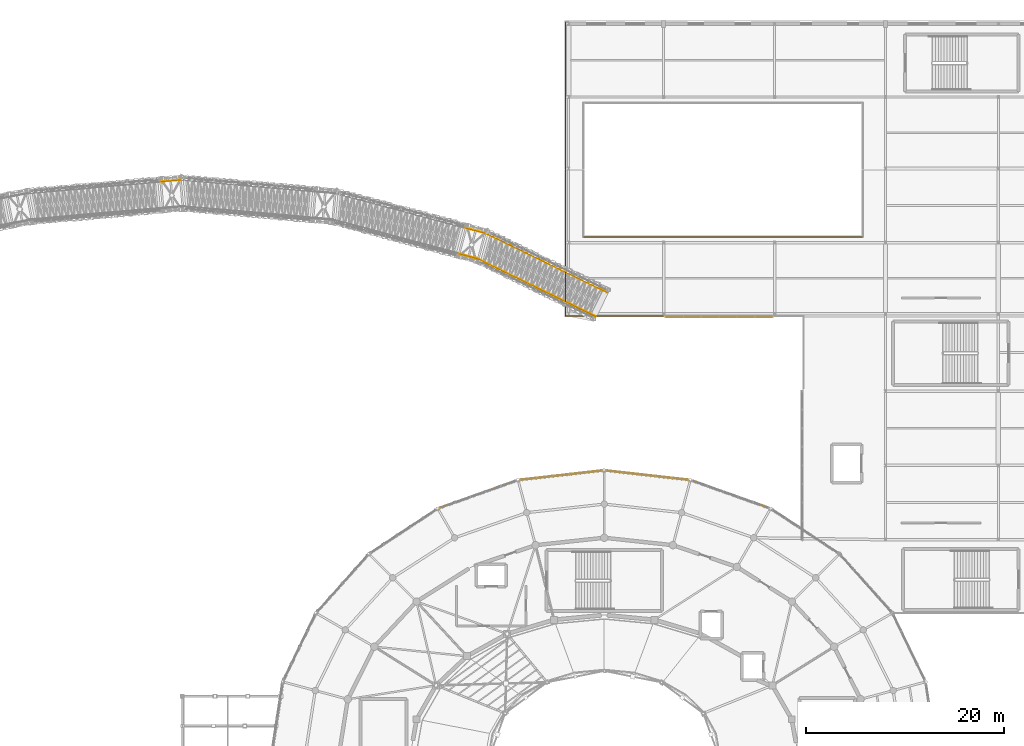
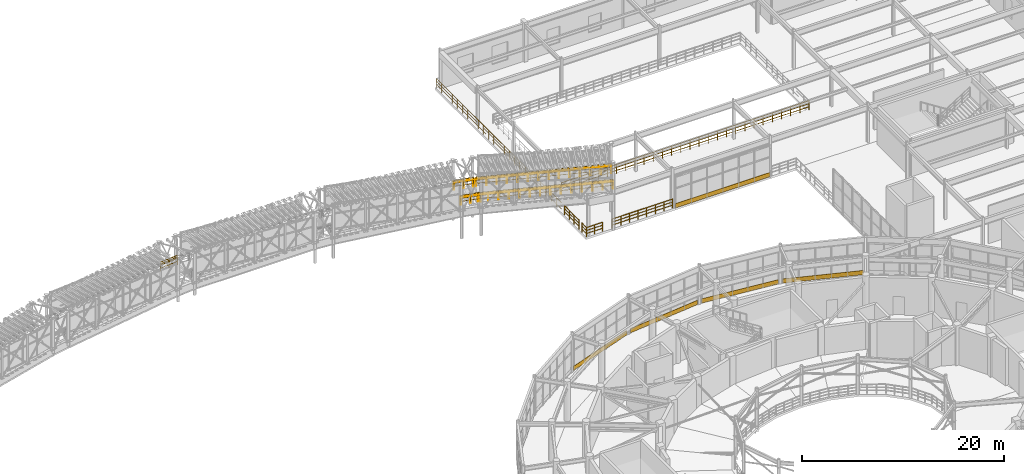
# One storey, part 140 of 144: 16 railings, 5 coverings.
"""IFC4 building model written with IfcOpenShell, lengths in metres."""

from ifc_helpers import new_model, si_unit, direction, frame, origin, origin_2d, place, context, subcontext, project, spatial, rectangle, circle, extrude, material, layer, layer_set, type_object, element, save


model = new_model("IFC4")

# Units and contexts
model_context = context("Model", 3, precision=1e-05, world=origin(), true_north=direction((0.0, 1.0)))
body_context = subcontext(model_context, "Body", "Model", "MODEL_VIEW")
ifc_project = project(units=[si_unit("LENGTHUNIT", "METRE"), si_unit("AREAUNIT", "SQUARE_METRE"), si_unit("VOLUMEUNIT", "CUBIC_METRE"), si_unit("PLANEANGLEUNIT", "RADIAN"), si_unit("MASSUNIT", "GRAM", prefix="KILO")], contexts=[model_context])

# Site, building, storey
site_placement = place(None, origin())
site = spatial("IfcSite", under=ifc_project, at=site_placement, CompositionType="ELEMENT")
building_placement = place(site_placement, origin())
building = spatial("IfcBuilding", under=site, at=building_placement, Name="Cinderbank Siding Concert Hall", CompositionType="ELEMENT")
storey_placement = place(building_placement, frame((0.0, 0.0, 5.39990234375)))
storey = spatial("IfcBuildingStorey", under=building, at=storey_placement, Name="L02", CompositionType="ELEMENT", Elevation=5.39990234375)

# Railing
ifc_material_1 = material(Name="Spotted gum glulam timber GL18 (42 MPa)", Category="wood")
railing_type_1 = type_object("IfcRailingType", Name="BAL-01 Auditorium Tier Balustrade 1120mm", PredefinedType="BALUSTRADE", material=ifc_material_1)
railing_1_placement = place(storey_placement, frame((119.85009765625, 96.35009765625, 0.0)))
element("IfcRailing", 1, at=railing_1_placement, inside=storey, type_object=railing_type_1, Name="L02 OR Gallery Balustrade 0", PredefinedType="BALUSTRADE", context=body_context, shape_type="SweptSolid", body=[
    extrude(circle(Radius=0.02392578125, at=origin_2d()), frame((0.0, 0.0, 1.09619140625), z_axis=(1.0, 0.0, 0.0), x_axis=(0.0, 1.0, 0.0)), (0.0, 0.0, 1.0), 28.2998046875),
    extrude(circle(Radius=0.01611328125, at=origin_2d()), frame((0.0, 0.0, 0.36962890625), z_axis=(1.0, 0.0, 0.0), x_axis=(0.0, 1.0, 0.0)), (0.0, 0.0, 1.0), 28.2998046875),
    extrude(circle(Radius=0.01611328125, at=origin_2d()), frame((0.0, 0.0, 0.7392578125), z_axis=(1.0, 0.0, 0.0), x_axis=(0.0, 1.0, 0.0)), (0.0, 0.0, 1.0), 28.2998046875),
    extrude(circle(Radius=0.02099609375, at=origin_2d()), origin(), (0.0, 0.0, 1.0), 1.072021484375),
    extrude(circle(Radius=0.02099609375, at=origin_2d()), frame((1.048095703125, 0.0, 0.0)), (0.0, 0.0, 1.0), 1.072021484375),
    extrude(circle(Radius=0.02099609375, at=origin_2d()), frame((2.09619140625, 0.0, 0.0)), (0.0, 0.0, 1.0), 1.072021484375),
    extrude(circle(Radius=0.02099609375, at=origin_2d()), frame((3.14453125, 0.0, 0.0)), (0.0, 0.0, 1.0), 1.072021484375),
    extrude(circle(Radius=0.02099609375, at=origin_2d()), frame((4.192626953125, 0.0, 0.0)), (0.0, 0.0, 1.0), 1.072021484375),
    extrude(circle(Radius=0.02099609375, at=origin_2d()), frame((5.24072265625, 0.0, 0.0)), (0.0, 0.0, 1.0), 1.072021484375),
    extrude(circle(Radius=0.02099609375, at=origin_2d()), frame((6.288818359375, 0.0, 0.0)), (0.0, 0.0, 1.0), 1.072021484375),
    extrude(circle(Radius=0.02099609375, at=origin_2d()), frame((7.3369140625, 0.0, 0.0)), (0.0, 0.0, 1.0), 1.072021484375),
    extrude(circle(Radius=0.02099609375, at=origin_2d()), frame((8.385009765625, 0.0, 0.0)), (0.0, 0.0, 1.0), 1.072021484375),
    extrude(circle(Radius=0.02099609375, at=origin_2d()), frame((9.433349609375, 0.0, 0.0)), (0.0, 0.0, 1.0), 1.072021484375),
    extrude(circle(Radius=0.02099609375, at=origin_2d()), frame((10.4814453125, 0.0, 0.0)), (0.0, 0.0, 1.0), 1.072021484375),
    extrude(circle(Radius=0.02099609375, at=origin_2d()), frame((11.529541015625, 0.0, 0.0)), (0.0, 0.0, 1.0), 1.072021484375),
    extrude(circle(Radius=0.02099609375, at=origin_2d()), frame((12.57763671875, 0.0, 0.0)), (0.0, 0.0, 1.0), 1.072021484375),
    extrude(circle(Radius=0.02099609375, at=origin_2d()), frame((13.625732421875, 0.0, 0.0)), (0.0, 0.0, 1.0), 1.072021484375),
    extrude(circle(Radius=0.02099609375, at=origin_2d()), frame((14.674072265625, 0.0, 0.0)), (0.0, 0.0, 1.0), 1.072021484375),
    extrude(circle(Radius=0.02099609375, at=origin_2d()), frame((15.72216796875, 0.0, 0.0)), (0.0, 0.0, 1.0), 1.072021484375),
    extrude(circle(Radius=0.02099609375, at=origin_2d()), frame((16.770263671875, 0.0, 0.0)), (0.0, 0.0, 1.0), 1.072021484375),
    extrude(circle(Radius=0.02099609375, at=origin_2d()), frame((17.818359375, 0.0, 0.0)), (0.0, 0.0, 1.0), 1.072021484375),
    extrude(circle(Radius=0.02099609375, at=origin_2d()), frame((18.866455078125, 0.0, 0.0)), (0.0, 0.0, 1.0), 1.072021484375),
    extrude(circle(Radius=0.02099609375, at=origin_2d()), frame((19.914794921875, 0.0, 0.0)), (0.0, 0.0, 1.0), 1.072021484375),
    extrude(circle(Radius=0.02099609375, at=origin_2d()), frame((20.962890625, 0.0, 0.0)), (0.0, 0.0, 1.0), 1.072021484375),
    extrude(circle(Radius=0.02099609375, at=origin_2d()), frame((22.010986328125, 0.0, 0.0)), (0.0, 0.0, 1.0), 1.072021484375),
    extrude(circle(Radius=0.02099609375, at=origin_2d()), frame((23.05908203125, 0.0, 0.0)), (0.0, 0.0, 1.0), 1.072021484375),
    extrude(circle(Radius=0.02099609375, at=origin_2d()), frame((24.107177734375, 0.0, 0.0)), (0.0, 0.0, 1.0), 1.072021484375),
    extrude(circle(Radius=0.02099609375, at=origin_2d()), frame((25.1552734375, 0.0, 0.0)), (0.0, 0.0, 1.0), 1.072021484375),
    extrude(circle(Radius=0.02099609375, at=origin_2d()), frame((26.20361328125, 0.0, 0.0)), (0.0, 0.0, 1.0), 1.072021484375),
    extrude(circle(Radius=0.02099609375, at=origin_2d()), frame((27.251708984375, 0.0, 0.0)), (0.0, 0.0, 1.0), 1.072021484375),
    extrude(circle(Radius=0.02099609375, at=origin_2d()), frame((28.2998046875, 0.0, 0.0)), (0.0, 0.0, 1.0), 1.072021484375),
])

# Coverings
ifc_layer = layer(ifc_material_1, 0.06494140625)
ifc_layer_set = layer_set([ifc_layer], Name="Spotted gum glulam timber GL18 (42 MPa)")
covering_type = type_object("IfcCoveringType", Name="CL-01 Spotted Gum Spandrel Band 520mm", PredefinedType="CLADDING", material=ifc_layer_set)
covering_1_placement = place(storey_placement, frame((134.748291015625, 70.380126953125, 0.0), z_axis=(0.0, 0.0, 1.0), x_axis=(-0.942365662238, 0.334584755532, 0.0)))
element("IfcCovering", 2, at=covering_1_placement, inside=storey, type_object=covering_type, Name="CW-L02-005 Spotted Gum Spandrel Band", PredefinedType="CLADDING", context=body_context, shape_type="SweptSolid", body=[
    extrude(rectangle(XDim=8.1455078125, YDim=0.06494140625, at=origin_2d()), origin(), (0.0, 0.0, 1.0), 0.52001953125),
])
for number, where, z_axis, x_axis, name in (
    (3, (126.34814453125, 72.309326171875, 0.0), (0.0, 0.0, 1.0), (-0.993693605349, 0.112129472879, 0.0), "CW-L02-006 Spotted Gum Spandrel Band"),
    (4, (117.65185546875, 72.309326171875, 0.0), (0.0, 0.0, 1.0), (-0.993693605349, -0.112129472879, 0.0), "CW-L02-007 Spotted Gum Spandrel Band"),
):
    element("IfcCovering", number, at=place(storey_placement, frame(where, z_axis=z_axis, x_axis=x_axis)), inside=storey, type_object=covering_type, Name=name, PredefinedType="CLADDING", context=body_context, shape_type="SweptSolid", body=[
        extrude(rectangle(XDim=8.297607421875, YDim=0.06494140625, at=origin_2d()), origin(), (0.0, 0.0, 1.0), 0.52001953125),
    ])
covering_2_placement = place(storey_placement, frame((109.251953125, 70.380126953125, 0.0), z_axis=(0.0, 0.0, 1.0), x_axis=(-0.942365662238, -0.334584755532, 0.0)))
element("IfcCovering", 5, at=covering_2_placement, inside=storey, type_object=covering_type, Name="CW-L02-008 Spotted Gum Spandrel Band", PredefinedType="CLADDING", context=body_context, shape_type="SweptSolid", body=[
    extrude(rectangle(XDim=8.1455078125, YDim=0.06494140625, at=origin_2d()), origin(), (0.0, 0.0, 1.0), 0.52001953125),
])
covering_3_placement = place(storey_placement, frame((133.60009765625, 88.300048828125, 0.0), z_axis=(0.0, 0.0, 1.0), x_axis=(1.0, 0.0, 0.0)))
element("IfcCovering", 6, at=covering_3_placement, inside=storey, type_object=covering_type, Name="CW-L02-151 Spotted Gum Spandrel Band", PredefinedType="CLADDING", context=body_context, shape_type="SweptSolid", body=[
    extrude(rectangle(XDim=10.81396484375, YDim=0.06494140625, at=origin_2d()), origin(), (0.0, 0.0, 1.0), 0.52001953125),
])

# Railings
ifc_material_2 = material(Name="Structural steel AS/NZS 3679.1 Grade 350 (340 MPa)", Category="steel")
railing_type_2 = type_object("IfcRailingType", Name="GD-01 Terrace & Perimeter Guardrail 1120mm", PredefinedType="GUARDRAIL", material=ifc_material_2)
railing_2_placement = place(storey_placement, frame((77.228515625, 101.951904296875, 1.920166015625)))
element("IfcRailing", 7, at=railing_2_placement, inside=storey, type_object=railing_type_2, Name="Bridge Guardrail 4-L", PredefinedType="GUARDRAIL", context=body_context, shape_type="SweptSolid", body=[
    extrude(circle(Radius=0.02392578125, at=origin_2d()), frame((0.0, 0.0, 1.09619140625), z_axis=(0.99619464492, 0.087156350505, 0.0), x_axis=(-0.087156350505, 0.99619464492, 0.0)), (0.0, 0.0, 1.0), 2.0),
    extrude(circle(Radius=0.01611328125, at=origin_2d()), frame((0.0, 0.0, 0.36962890625), z_axis=(0.99619464492, 0.087156350505, 0.0), x_axis=(-0.087156350505, 0.99619464492, 0.0)), (0.0, 0.0, 1.0), 2.0),
    extrude(circle(Radius=0.01611328125, at=origin_2d()), frame((0.0, 0.0, 0.7392578125), z_axis=(0.99619464492, 0.087156350505, 0.0), x_axis=(-0.087156350505, 0.99619464492, 0.0)), (0.0, 0.0, 1.0), 2.0),
    extrude(circle(Radius=0.02099609375, at=origin_2d()), origin(), (0.0, 0.0, 1.0), 1.072021484375),
    extrude(circle(Radius=0.02099609375, at=origin_2d()), frame((0.99609375, 0.087158203125, 0.0)), (0.0, 0.0, 1.0), 1.072021484375),
    extrude(circle(Radius=0.02099609375, at=origin_2d()), frame((1.992431640625, 0.17431640625, 0.0)), (0.0, 0.0, 1.0), 1.072021484375),
])
for number, where, name in (
    (8, (108.047607421875, 97.261474609375, 3.840087890625), "Bridge Guardrail 8-L"),
    (9, (107.354248046875, 94.673583984375, 3.840087890625), "Bridge Guardrail 8-R"),
):
    element("IfcRailing", number, at=place(storey_placement, frame(where)), inside=storey, type_object=railing_type_2, Name=name, PredefinedType="GUARDRAIL", context=body_context, shape_type="SweptSolid", body=[
        extrude(circle(Radius=0.02392578125, at=origin_2d()), frame((0.0, 0.0, 1.09619140625), z_axis=(0.965934430412, -0.258786931944, 0.0), x_axis=(0.258786931944, 0.965934430412, 0.0)), (0.0, 0.0, 1.0), 2.0),
        extrude(circle(Radius=0.01611328125, at=origin_2d()), frame((0.0, 0.0, 0.36962890625), z_axis=(0.965934430412, -0.258786931944, 0.0), x_axis=(0.258786931944, 0.965934430412, 0.0)), (0.0, 0.0, 1.0), 2.0),
        extrude(circle(Radius=0.01611328125, at=origin_2d()), frame((0.0, 0.0, 0.7392578125), z_axis=(0.965934430412, -0.258786931944, 0.0), x_axis=(0.258786931944, 0.965934430412, 0.0)), (0.0, 0.0, 1.0), 2.0),
        extrude(circle(Radius=0.02099609375, at=origin_2d()), origin(), (0.0, 0.0, 1.0), 1.072021484375),
        extrude(circle(Radius=0.02099609375, at=origin_2d()), frame((0.9658203125, -0.2587890625, 0.0)), (0.0, 0.0, 1.0), 1.072021484375),
        extrude(circle(Radius=0.02099609375, at=origin_2d()), frame((1.931884765625, -0.517578125, 0.0)), (0.0, 0.0, 1.0), 1.072021484375),
    ])
railing_3_placement = place(storey_placement, frame((110.22021484375, 96.65380859375, 3.840087890625)))
element("IfcRailing", 10, at=railing_3_placement, inside=storey, type_object=railing_type_2, Name="Bridge Guardrail 9-L", PredefinedType="GUARDRAIL", context=body_context, shape_type="SweptSolid", body=[
    extrude(circle(Radius=0.02392578125, at=origin_2d()), frame((0.0, 0.0, 1.09619140625), z_axis=(0.896510284376, -0.437256683426, 0.071245370431), x_axis=(0.438370662274, 0.898794282613, 0.0)), (0.0, 0.0, 1.0), 13.47412109375),
    extrude(circle(Radius=0.01611328125, at=origin_2d()), frame((0.0, 0.0, 0.36962890625), z_axis=(0.896510284376, -0.437256683426, 0.071245370431), x_axis=(0.438370662274, 0.898794282613, 0.0)), (0.0, 0.0, 1.0), 13.47412109375),
    extrude(circle(Radius=0.01611328125, at=origin_2d()), frame((0.0, 0.0, 0.7392578125), z_axis=(0.896510284376, -0.437256683426, 0.071245370431), x_axis=(0.438370662274, 0.898794282613, 0.0)), (0.0, 0.0, 1.0), 13.47412109375),
    extrude(circle(Radius=0.02099609375, at=origin_2d()), origin(), (0.0, 0.0, 1.0), 1.072021484375),
    extrude(circle(Radius=0.02099609375, at=origin_2d()), frame((0.92919921875, -0.453125, 0.07373046875)), (0.0, 0.0, 1.0), 1.072021484375),
    extrude(circle(Radius=0.02099609375, at=origin_2d()), frame((1.8583984375, -0.906494140625, 0.147705078125)), (0.0, 0.0, 1.0), 1.072021484375),
    extrude(circle(Radius=0.02099609375, at=origin_2d()), frame((2.78759765625, -1.359619140625, 0.221435546875)), (0.0, 0.0, 1.0), 1.072021484375),
    extrude(circle(Radius=0.02099609375, at=origin_2d()), frame((3.716796875, -1.812744140625, 0.29541015625)), (0.0, 0.0, 1.0), 1.072021484375),
    extrude(circle(Radius=0.02099609375, at=origin_2d()), frame((4.64599609375, -2.26611328125, 0.369140625)), (0.0, 0.0, 1.0), 1.072021484375),
    extrude(circle(Radius=0.02099609375, at=origin_2d()), frame((5.5751953125, -2.71923828125, 0.443115234375)), (0.0, 0.0, 1.0), 1.072021484375),
    extrude(circle(Radius=0.02099609375, at=origin_2d()), frame((6.50439453125, -3.17236328125, 0.516845703125)), (0.0, 0.0, 1.0), 1.072021484375),
    extrude(circle(Radius=0.02099609375, at=origin_2d()), frame((7.43359375, -3.62548828125, 0.5908203125)), (0.0, 0.0, 1.0), 1.072021484375),
    extrude(circle(Radius=0.02099609375, at=origin_2d()), frame((8.36279296875, -4.078857421875, 0.66455078125)), (0.0, 0.0, 1.0), 1.072021484375),
    extrude(circle(Radius=0.02099609375, at=origin_2d()), frame((9.2919921875, -4.531982421875, 0.738525390625)), (0.0, 0.0, 1.0), 1.072021484375),
    extrude(circle(Radius=0.02099609375, at=origin_2d()), frame((10.22119140625, -4.985107421875, 0.812255859375)), (0.0, 0.0, 1.0), 1.072021484375),
    extrude(circle(Radius=0.02099609375, at=origin_2d()), frame((11.150390625, -5.4384765625, 0.88623046875)), (0.0, 0.0, 1.0), 1.072021484375),
    extrude(circle(Radius=0.02099609375, at=origin_2d()), frame((12.07958984375, -5.8916015625, 0.9599609375)), (0.0, 0.0, 1.0), 1.072021484375),
])
railing_4_placement = place(storey_placement, frame((109.045654296875, 94.24609375, 3.840087890625)))
element("IfcRailing", 11, at=railing_4_placement, inside=storey, type_object=railing_type_2, Name="Bridge Guardrail 9-R", PredefinedType="GUARDRAIL", context=body_context, shape_type="SweptSolid", body=[
    extrude(circle(Radius=0.02392578125, at=origin_2d()), frame((0.0, 0.0, 1.09619140625), z_axis=(0.896513840566, -0.437249580641, 0.071244213123), x_axis=(0.438363505065, 0.898797773377, 0.0)), (0.0, 0.0, 1.0), 13.47412109375),
    extrude(circle(Radius=0.01611328125, at=origin_2d()), frame((0.0, 0.0, 0.36962890625), z_axis=(0.896513840566, -0.437249580641, 0.071244213123), x_axis=(0.438363505065, 0.898797773377, 0.0)), (0.0, 0.0, 1.0), 13.47412109375),
    extrude(circle(Radius=0.01611328125, at=origin_2d()), frame((0.0, 0.0, 0.7392578125), z_axis=(0.896513840566, -0.437249580641, 0.071244213123), x_axis=(0.438363505065, 0.898797773377, 0.0)), (0.0, 0.0, 1.0), 13.47412109375),
    extrude(circle(Radius=0.02099609375, at=origin_2d()), origin(), (0.0, 0.0, 1.0), 1.072021484375),
    extrude(circle(Radius=0.02099609375, at=origin_2d()), frame((0.92919921875, -0.453125, 0.07373046875)), (0.0, 0.0, 1.0), 1.072021484375),
    extrude(circle(Radius=0.02099609375, at=origin_2d()), frame((1.8583984375, -0.906494140625, 0.147705078125)), (0.0, 0.0, 1.0), 1.072021484375),
    extrude(circle(Radius=0.02099609375, at=origin_2d()), frame((2.78759765625, -1.359619140625, 0.221435546875)), (0.0, 0.0, 1.0), 1.072021484375),
    extrude(circle(Radius=0.02099609375, at=origin_2d()), frame((3.716796875, -1.812744140625, 0.29541015625)), (0.0, 0.0, 1.0), 1.072021484375),
    extrude(circle(Radius=0.02099609375, at=origin_2d()), frame((4.64599609375, -2.26611328125, 0.369140625)), (0.0, 0.0, 1.0), 1.072021484375),
    extrude(circle(Radius=0.02099609375, at=origin_2d()), frame((5.5751953125, -2.71923828125, 0.443115234375)), (0.0, 0.0, 1.0), 1.072021484375),
    extrude(circle(Radius=0.02099609375, at=origin_2d()), frame((6.504638671875, -3.17236328125, 0.516845703125)), (0.0, 0.0, 1.0), 1.072021484375),
    extrude(circle(Radius=0.02099609375, at=origin_2d()), frame((7.433837890625, -3.62548828125, 0.5908203125)), (0.0, 0.0, 1.0), 1.072021484375),
    extrude(circle(Radius=0.02099609375, at=origin_2d()), frame((8.363037109375, -4.078857421875, 0.66455078125)), (0.0, 0.0, 1.0), 1.072021484375),
    extrude(circle(Radius=0.02099609375, at=origin_2d()), frame((9.292236328125, -4.531982421875, 0.738525390625)), (0.0, 0.0, 1.0), 1.072021484375),
    extrude(circle(Radius=0.02099609375, at=origin_2d()), frame((10.221435546875, -4.985107421875, 0.812255859375)), (0.0, 0.0, 1.0), 1.072021484375),
    extrude(circle(Radius=0.02099609375, at=origin_2d()), frame((11.150634765625, -5.4384765625, 0.88623046875)), (0.0, 0.0, 1.0), 1.072021484375),
    extrude(circle(Radius=0.02099609375, at=origin_2d()), frame((12.079833984375, -5.8916015625, 0.9599609375)), (0.0, 0.0, 1.0), 1.072021484375),
])
railing_5_placement = place(storey_placement, frame((127.952880859375, 88.39990234375, 0.0)))
element("IfcRailing", 12, at=railing_5_placement, inside=storey, type_object=railing_type_2, Name="L02 Perimeter Guardrail #33", PredefinedType="GUARDRAIL", context=body_context, shape_type="SweptSolid", body=[
    extrude(circle(Radius=0.02392578125, at=origin_2d()), frame((0.0, 0.0, 1.09619140625), z_axis=(-1.0, 0.0, 0.0), x_axis=(0.0, -1.0, 0.0)), (0.0, 0.0, 1.0), 6.912109375),
    extrude(circle(Radius=0.01611328125, at=origin_2d()), frame((0.0, 0.0, 0.36962890625), z_axis=(-1.0, 0.0, 0.0), x_axis=(0.0, -1.0, 0.0)), (0.0, 0.0, 1.0), 6.912109375),
    extrude(circle(Radius=0.01611328125, at=origin_2d()), frame((0.0, 0.0, 0.7392578125), z_axis=(-1.0, 0.0, 0.0), x_axis=(0.0, -1.0, 0.0)), (0.0, 0.0, 1.0), 6.912109375),
    extrude(circle(Radius=0.02099609375, at=origin_2d()), origin(), (0.0, 0.0, 1.0), 1.072021484375),
    extrude(circle(Radius=0.02099609375, at=origin_2d()), frame((-0.987548828125, 0.0, 0.0)), (0.0, 0.0, 1.0), 1.072021484375),
    extrude(circle(Radius=0.02099609375, at=origin_2d()), frame((-1.974853515625, 0.0, 0.0)), (0.0, 0.0, 1.0), 1.072021484375),
    extrude(circle(Radius=0.02099609375, at=origin_2d()), frame((-2.96240234375, 0.0, 0.0)), (0.0, 0.0, 1.0), 1.072021484375),
    extrude(circle(Radius=0.02099609375, at=origin_2d()), frame((-3.94970703125, 0.0, 0.0)), (0.0, 0.0, 1.0), 1.072021484375),
    extrude(circle(Radius=0.02099609375, at=origin_2d()), frame((-4.937255859375, 0.0, 0.0)), (0.0, 0.0, 1.0), 1.072021484375),
    extrude(circle(Radius=0.02099609375, at=origin_2d()), frame((-5.924560546875, 0.0, 0.0)), (0.0, 0.0, 1.0), 1.072021484375),
    extrude(circle(Radius=0.02099609375, at=origin_2d()), frame((-6.912109375, 0.0, 0.0)), (0.0, 0.0, 1.0), 1.072021484375),
])
railing_6_placement = place(storey_placement, frame((119.935791015625, 88.39990234375, 0.0)))
element("IfcRailing", 13, at=railing_6_placement, inside=storey, type_object=railing_type_2, Name="L02 Perimeter Guardrail #34", PredefinedType="GUARDRAIL", context=body_context, shape_type="SweptSolid", body=[
    extrude(circle(Radius=0.02392578125, at=origin_2d()), frame((0.0, 0.0, 1.09619140625), z_axis=(-1.0, 0.0, 0.0), x_axis=(0.0, -1.0, 0.0)), (0.0, 0.0, 1.0), 1.835693359375),
    extrude(circle(Radius=0.01611328125, at=origin_2d()), frame((0.0, 0.0, 0.36962890625), z_axis=(-1.0, 0.0, 0.0), x_axis=(0.0, -1.0, 0.0)), (0.0, 0.0, 1.0), 1.835693359375),
    extrude(circle(Radius=0.01611328125, at=origin_2d()), frame((0.0, 0.0, 0.7392578125), z_axis=(-1.0, 0.0, 0.0), x_axis=(0.0, -1.0, 0.0)), (0.0, 0.0, 1.0), 1.835693359375),
    extrude(circle(Radius=0.02099609375, at=origin_2d()), origin(), (0.0, 0.0, 1.0), 1.072021484375),
    extrude(circle(Radius=0.02099609375, at=origin_2d()), frame((-0.91796875, 0.0, 0.0)), (0.0, 0.0, 1.0), 1.072021484375),
    extrude(circle(Radius=0.02099609375, at=origin_2d()), frame((-1.835693359375, 0.0, 0.0)), (0.0, 0.0, 1.0), 1.072021484375),
])
railing_7_placement = place(storey_placement, frame((118.10009765625, 88.39990234375, 0.0)))
element("IfcRailing", 14, at=railing_7_placement, inside=storey, type_object=railing_type_2, Name="L02 Perimeter Guardrail #35", PredefinedType="GUARDRAIL", context=body_context, shape_type="SweptSolid", body=[
    extrude(circle(Radius=0.02392578125, at=origin_2d()), frame((0.0, 0.0, 1.09619140625), z_axis=(0.0, 1.0, 0.0), x_axis=(-1.0, 0.0, 0.0)), (0.0, 0.0, 1.0), 0.8955078125),
    extrude(circle(Radius=0.01611328125, at=origin_2d()), frame((0.0, 0.0, 0.36962890625), z_axis=(0.0, 1.0, 0.0), x_axis=(-1.0, 0.0, 0.0)), (0.0, 0.0, 1.0), 0.8955078125),
    extrude(circle(Radius=0.01611328125, at=origin_2d()), frame((0.0, 0.0, 0.7392578125), z_axis=(0.0, 1.0, 0.0), x_axis=(-1.0, 0.0, 0.0)), (0.0, 0.0, 1.0), 0.8955078125),
    extrude(circle(Radius=0.02099609375, at=origin_2d()), origin(), (0.0, 0.0, 1.0), 1.072021484375),
    extrude(circle(Radius=0.02099609375, at=origin_2d()), frame((0.0, 0.8955078125, 0.0)), (0.0, 0.0, 1.0), 1.072021484375),
])
railing_8_placement = place(storey_placement, frame((118.10009765625, 89.873779296875, 0.0)))
element("IfcRailing", 15, at=railing_8_placement, inside=storey, type_object=railing_type_2, Name="L02 Perimeter Guardrail #36", PredefinedType="GUARDRAIL", context=body_context, shape_type="SweptSolid", body=[
    extrude(circle(Radius=0.02392578125, at=origin_2d()), frame((0.0, 0.0, 1.09619140625), z_axis=(0.0, 1.0, 0.0), x_axis=(-1.0, 0.0, 0.0)), (0.0, 0.0, 1.0), 2.892822265625),
    extrude(circle(Radius=0.01611328125, at=origin_2d()), frame((0.0, 0.0, 0.36962890625), z_axis=(0.0, 1.0, 0.0), x_axis=(-1.0, 0.0, 0.0)), (0.0, 0.0, 1.0), 2.892822265625),
    extrude(circle(Radius=0.01611328125, at=origin_2d()), frame((0.0, 0.0, 0.7392578125), z_axis=(0.0, 1.0, 0.0), x_axis=(-1.0, 0.0, 0.0)), (0.0, 0.0, 1.0), 2.892822265625),
    extrude(circle(Radius=0.02099609375, at=origin_2d()), origin(), (0.0, 0.0, 1.0), 1.072021484375),
    extrude(circle(Radius=0.02099609375, at=origin_2d()), frame((0.0, 0.96435546875, 0.0)), (0.0, 0.0, 1.0), 1.072021484375),
    extrude(circle(Radius=0.02099609375, at=origin_2d()), frame((0.0, 1.928466796875, 0.0)), (0.0, 0.0, 1.0), 1.072021484375),
    extrude(circle(Radius=0.02099609375, at=origin_2d()), frame((0.0, 2.892822265625, 0.0)), (0.0, 0.0, 1.0), 1.072021484375),
])
railing_9_placement = place(storey_placement, frame((118.10009765625, 93.34521484375, 0.0)))
element("IfcRailing", 16, at=railing_9_placement, inside=storey, type_object=railing_type_2, Name="L02 Perimeter Guardrail #37", PredefinedType="GUARDRAIL", context=body_context, shape_type="SweptSolid", body=[
    extrude(circle(Radius=0.02392578125, at=origin_2d()), frame((0.0, 0.0, 1.09619140625), z_axis=(0.0, 1.0, 0.0), x_axis=(-1.0, 0.0, 0.0)), (0.0, 0.0, 1.0), 24.7548828125),
    extrude(circle(Radius=0.01611328125, at=origin_2d()), frame((0.0, 0.0, 0.36962890625), z_axis=(0.0, 1.0, 0.0), x_axis=(-1.0, 0.0, 0.0)), (0.0, 0.0, 1.0), 24.7548828125),
    extrude(circle(Radius=0.01611328125, at=origin_2d()), frame((0.0, 0.0, 0.7392578125), z_axis=(0.0, 1.0, 0.0), x_axis=(-1.0, 0.0, 0.0)), (0.0, 0.0, 1.0), 24.7548828125),
    extrude(circle(Radius=0.02099609375, at=origin_2d()), origin(), (0.0, 0.0, 1.0), 1.072021484375),
    extrude(circle(Radius=0.02099609375, at=origin_2d()), frame((0.0, 1.031494140625, 0.0)), (0.0, 0.0, 1.0), 1.072021484375),
    extrude(circle(Radius=0.02099609375, at=origin_2d()), frame((0.0, 2.06298828125, 0.0)), (0.0, 0.0, 1.0), 1.072021484375),
    extrude(circle(Radius=0.02099609375, at=origin_2d()), frame((0.0, 3.09423828125, 0.0)), (0.0, 0.0, 1.0), 1.072021484375),
    extrude(circle(Radius=0.02099609375, at=origin_2d()), frame((0.0, 4.125732421875, 0.0)), (0.0, 0.0, 1.0), 1.072021484375),
    extrude(circle(Radius=0.02099609375, at=origin_2d()), frame((0.0, 5.1572265625, 0.0)), (0.0, 0.0, 1.0), 1.072021484375),
    extrude(circle(Radius=0.02099609375, at=origin_2d()), frame((0.0, 6.188720703125, 0.0)), (0.0, 0.0, 1.0), 1.072021484375),
    extrude(circle(Radius=0.02099609375, at=origin_2d()), frame((0.0, 7.22021484375, 0.0)), (0.0, 0.0, 1.0), 1.072021484375),
    extrude(circle(Radius=0.02099609375, at=origin_2d()), frame((0.0, 8.251708984375, 0.0)), (0.0, 0.0, 1.0), 1.072021484375),
    extrude(circle(Radius=0.02099609375, at=origin_2d()), frame((0.0, 9.283203125, 0.0)), (0.0, 0.0, 1.0), 1.072021484375),
    extrude(circle(Radius=0.02099609375, at=origin_2d()), frame((0.0, 10.314453125, 0.0)), (0.0, 0.0, 1.0), 1.072021484375),
    extrude(circle(Radius=0.02099609375, at=origin_2d()), frame((0.0, 11.345947265625, 0.0)), (0.0, 0.0, 1.0), 1.072021484375),
    extrude(circle(Radius=0.02099609375, at=origin_2d()), frame((0.0, 12.37744140625, 0.0)), (0.0, 0.0, 1.0), 1.072021484375),
    extrude(circle(Radius=0.02099609375, at=origin_2d()), frame((0.0, 13.408935546875, 0.0)), (0.0, 0.0, 1.0), 1.072021484375),
    extrude(circle(Radius=0.02099609375, at=origin_2d()), frame((0.0, 14.4404296875, 0.0)), (0.0, 0.0, 1.0), 1.072021484375),
    extrude(circle(Radius=0.02099609375, at=origin_2d()), frame((0.0, 15.4716796875, 0.0)), (0.0, 0.0, 1.0), 1.072021484375),
    extrude(circle(Radius=0.02099609375, at=origin_2d()), frame((0.0, 16.503173828125, 0.0)), (0.0, 0.0, 1.0), 1.072021484375),
    extrude(circle(Radius=0.02099609375, at=origin_2d()), frame((0.0, 17.53466796875, 0.0)), (0.0, 0.0, 1.0), 1.072021484375),
    extrude(circle(Radius=0.02099609375, at=origin_2d()), frame((0.0, 18.566162109375, 0.0)), (0.0, 0.0, 1.0), 1.072021484375),
    extrude(circle(Radius=0.02099609375, at=origin_2d()), frame((0.0, 19.59765625, 0.0)), (0.0, 0.0, 1.0), 1.072021484375),
    extrude(circle(Radius=0.02099609375, at=origin_2d()), frame((0.0, 20.629150390625, 0.0)), (0.0, 0.0, 1.0), 1.072021484375),
    extrude(circle(Radius=0.02099609375, at=origin_2d()), frame((0.0, 21.66064453125, 0.0)), (0.0, 0.0, 1.0), 1.072021484375),
    extrude(circle(Radius=0.02099609375, at=origin_2d()), frame((0.0, 22.69189453125, 0.0)), (0.0, 0.0, 1.0), 1.072021484375),
    extrude(circle(Radius=0.02099609375, at=origin_2d()), frame((0.0, 23.723388671875, 0.0)), (0.0, 0.0, 1.0), 1.072021484375),
    extrude(circle(Radius=0.02099609375, at=origin_2d()), frame((0.0, 24.7548828125, 0.0)), (0.0, 0.0, 1.0), 1.072021484375),
])
railing_type_3 = type_object("IfcRailingType", Name="HR-01 Accessible Ramp Handrail 920mm", PredefinedType="HANDRAIL", material=ifc_material_2)
railing_10_placement = place(storey_placement, frame((77.228515625, 101.951904296875, 1.920166015625)))
element("IfcRailing", 17, at=railing_10_placement, inside=storey, type_object=railing_type_3, Name="Bridge Handrail 4-L", PredefinedType="HANDRAIL", context=body_context, shape_type="SweptSolid", body=[
    extrude(circle(Radius=0.02392578125, at=origin_2d()), frame((0.0, 0.0, 0.89599609375), z_axis=(0.99619464492, 0.087156350505, 0.0), x_axis=(-0.087156350505, 0.99619464492, 0.0)), (0.0, 0.0, 1.0), 2.0),
    extrude(circle(Radius=0.02099609375, at=origin_2d()), origin(), (0.0, 0.0, 1.0), 0.871826171875),
    extrude(circle(Radius=0.02099609375, at=origin_2d()), frame((0.99609375, 0.087158203125, 0.0)), (0.0, 0.0, 1.0), 0.871826171875),
    extrude(circle(Radius=0.02099609375, at=origin_2d()), frame((1.992431640625, 0.17431640625, 0.0)), (0.0, 0.0, 1.0), 0.871826171875),
])
for number, where, name in (
    (18, (108.047607421875, 97.261474609375, 3.840087890625), "Bridge Handrail 8-L"),
    (19, (107.354248046875, 94.673583984375, 3.840087890625), "Bridge Handrail 8-R"),
):
    element("IfcRailing", number, at=place(storey_placement, frame(where)), inside=storey, type_object=railing_type_3, Name=name, PredefinedType="HANDRAIL", context=body_context, shape_type="SweptSolid", body=[
        extrude(circle(Radius=0.02392578125, at=origin_2d()), frame((0.0, 0.0, 0.89599609375), z_axis=(0.965934430412, -0.258786931944, 0.0), x_axis=(0.258786931944, 0.965934430412, 0.0)), (0.0, 0.0, 1.0), 2.0),
        extrude(circle(Radius=0.02099609375, at=origin_2d()), origin(), (0.0, 0.0, 1.0), 0.871826171875),
        extrude(circle(Radius=0.02099609375, at=origin_2d()), frame((0.9658203125, -0.2587890625, 0.0)), (0.0, 0.0, 1.0), 0.871826171875),
        extrude(circle(Radius=0.02099609375, at=origin_2d()), frame((1.931884765625, -0.517578125, 0.0)), (0.0, 0.0, 1.0), 0.871826171875),
    ])
railing_11_placement = place(storey_placement, frame((110.22021484375, 96.65380859375, 3.840087890625)))
element("IfcRailing", 20, at=railing_11_placement, inside=storey, type_object=railing_type_3, Name="Bridge Handrail 9-L", PredefinedType="HANDRAIL", context=body_context, shape_type="SweptSolid", body=[
    extrude(circle(Radius=0.02392578125, at=origin_2d()), frame((0.0, 0.0, 0.89599609375), z_axis=(0.896510284376, -0.437256683426, 0.071245370431), x_axis=(0.438370662274, 0.898794282613, 0.0)), (0.0, 0.0, 1.0), 13.47412109375),
    extrude(circle(Radius=0.02099609375, at=origin_2d()), origin(), (0.0, 0.0, 1.0), 0.871826171875),
    extrude(circle(Radius=0.02099609375, at=origin_2d()), frame((0.92919921875, -0.453125, 0.07373046875)), (0.0, 0.0, 1.0), 0.871826171875),
    extrude(circle(Radius=0.02099609375, at=origin_2d()), frame((1.8583984375, -0.906494140625, 0.147705078125)), (0.0, 0.0, 1.0), 0.871826171875),
    extrude(circle(Radius=0.02099609375, at=origin_2d()), frame((2.78759765625, -1.359619140625, 0.221435546875)), (0.0, 0.0, 1.0), 0.871826171875),
    extrude(circle(Radius=0.02099609375, at=origin_2d()), frame((3.716796875, -1.812744140625, 0.29541015625)), (0.0, 0.0, 1.0), 0.871826171875),
    extrude(circle(Radius=0.02099609375, at=origin_2d()), frame((4.64599609375, -2.26611328125, 0.369140625)), (0.0, 0.0, 1.0), 0.871826171875),
    extrude(circle(Radius=0.02099609375, at=origin_2d()), frame((5.5751953125, -2.71923828125, 0.443115234375)), (0.0, 0.0, 1.0), 0.871826171875),
    extrude(circle(Radius=0.02099609375, at=origin_2d()), frame((6.50439453125, -3.17236328125, 0.516845703125)), (0.0, 0.0, 1.0), 0.871826171875),
    extrude(circle(Radius=0.02099609375, at=origin_2d()), frame((7.43359375, -3.62548828125, 0.5908203125)), (0.0, 0.0, 1.0), 0.871826171875),
    extrude(circle(Radius=0.02099609375, at=origin_2d()), frame((8.36279296875, -4.078857421875, 0.66455078125)), (0.0, 0.0, 1.0), 0.871826171875),
    extrude(circle(Radius=0.02099609375, at=origin_2d()), frame((9.2919921875, -4.531982421875, 0.738525390625)), (0.0, 0.0, 1.0), 0.871826171875),
    extrude(circle(Radius=0.02099609375, at=origin_2d()), frame((10.22119140625, -4.985107421875, 0.812255859375)), (0.0, 0.0, 1.0), 0.871826171875),
    extrude(circle(Radius=0.02099609375, at=origin_2d()), frame((11.150390625, -5.4384765625, 0.88623046875)), (0.0, 0.0, 1.0), 0.871826171875),
    extrude(circle(Radius=0.02099609375, at=origin_2d()), frame((12.07958984375, -5.8916015625, 0.9599609375)), (0.0, 0.0, 1.0), 0.871826171875),
])
railing_12_placement = place(storey_placement, frame((109.045654296875, 94.24609375, 3.840087890625)))
element("IfcRailing", 21, at=railing_12_placement, inside=storey, type_object=railing_type_3, Name="Bridge Handrail 9-R", PredefinedType="HANDRAIL", context=body_context, shape_type="SweptSolid", body=[
    extrude(circle(Radius=0.02392578125, at=origin_2d()), frame((0.0, 0.0, 0.89599609375), z_axis=(0.896513840566, -0.437249580641, 0.071244213123), x_axis=(0.438363505065, 0.898797773377, 0.0)), (0.0, 0.0, 1.0), 13.47412109375),
    extrude(circle(Radius=0.02099609375, at=origin_2d()), origin(), (0.0, 0.0, 1.0), 0.871826171875),
    extrude(circle(Radius=0.02099609375, at=origin_2d()), frame((0.92919921875, -0.453125, 0.07373046875)), (0.0, 0.0, 1.0), 0.871826171875),
    extrude(circle(Radius=0.02099609375, at=origin_2d()), frame((1.8583984375, -0.906494140625, 0.147705078125)), (0.0, 0.0, 1.0), 0.871826171875),
    extrude(circle(Radius=0.02099609375, at=origin_2d()), frame((2.78759765625, -1.359619140625, 0.221435546875)), (0.0, 0.0, 1.0), 0.871826171875),
    extrude(circle(Radius=0.02099609375, at=origin_2d()), frame((3.716796875, -1.812744140625, 0.29541015625)), (0.0, 0.0, 1.0), 0.871826171875),
    extrude(circle(Radius=0.02099609375, at=origin_2d()), frame((4.64599609375, -2.26611328125, 0.369140625)), (0.0, 0.0, 1.0), 0.871826171875),
    extrude(circle(Radius=0.02099609375, at=origin_2d()), frame((5.5751953125, -2.71923828125, 0.443115234375)), (0.0, 0.0, 1.0), 0.871826171875),
    extrude(circle(Radius=0.02099609375, at=origin_2d()), frame((6.504638671875, -3.17236328125, 0.516845703125)), (0.0, 0.0, 1.0), 0.871826171875),
    extrude(circle(Radius=0.02099609375, at=origin_2d()), frame((7.433837890625, -3.62548828125, 0.5908203125)), (0.0, 0.0, 1.0), 0.871826171875),
    extrude(circle(Radius=0.02099609375, at=origin_2d()), frame((8.363037109375, -4.078857421875, 0.66455078125)), (0.0, 0.0, 1.0), 0.871826171875),
    extrude(circle(Radius=0.02099609375, at=origin_2d()), frame((9.292236328125, -4.531982421875, 0.738525390625)), (0.0, 0.0, 1.0), 0.871826171875),
    extrude(circle(Radius=0.02099609375, at=origin_2d()), frame((10.221435546875, -4.985107421875, 0.812255859375)), (0.0, 0.0, 1.0), 0.871826171875),
    extrude(circle(Radius=0.02099609375, at=origin_2d()), frame((11.150634765625, -5.4384765625, 0.88623046875)), (0.0, 0.0, 1.0), 0.871826171875),
    extrude(circle(Radius=0.02099609375, at=origin_2d()), frame((12.079833984375, -5.8916015625, 0.9599609375)), (0.0, 0.0, 1.0), 0.871826171875),
])

save(model, "model.ifc")
